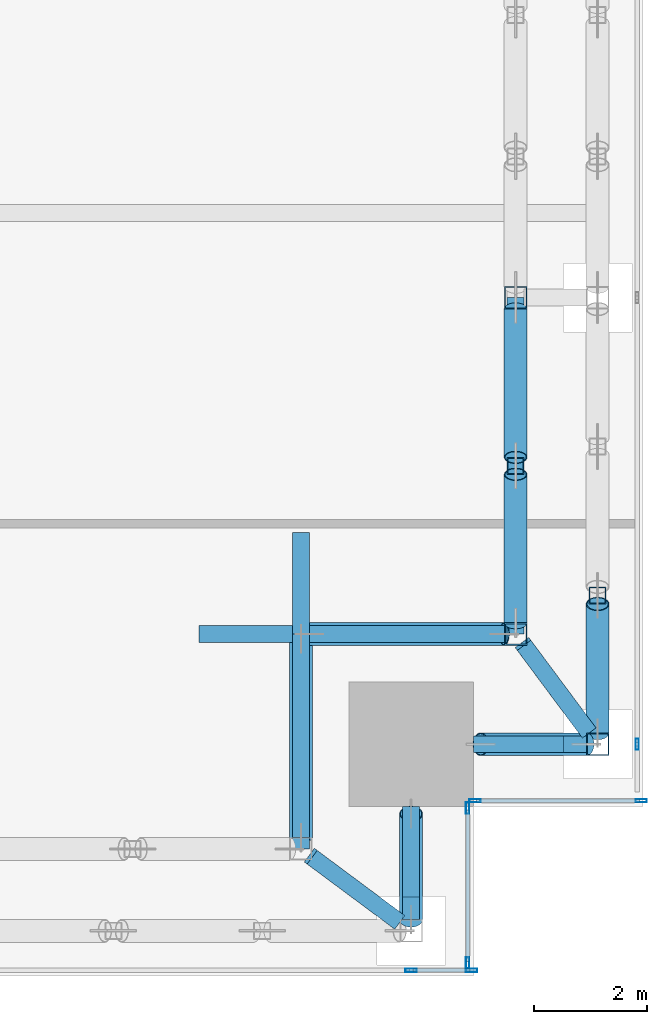
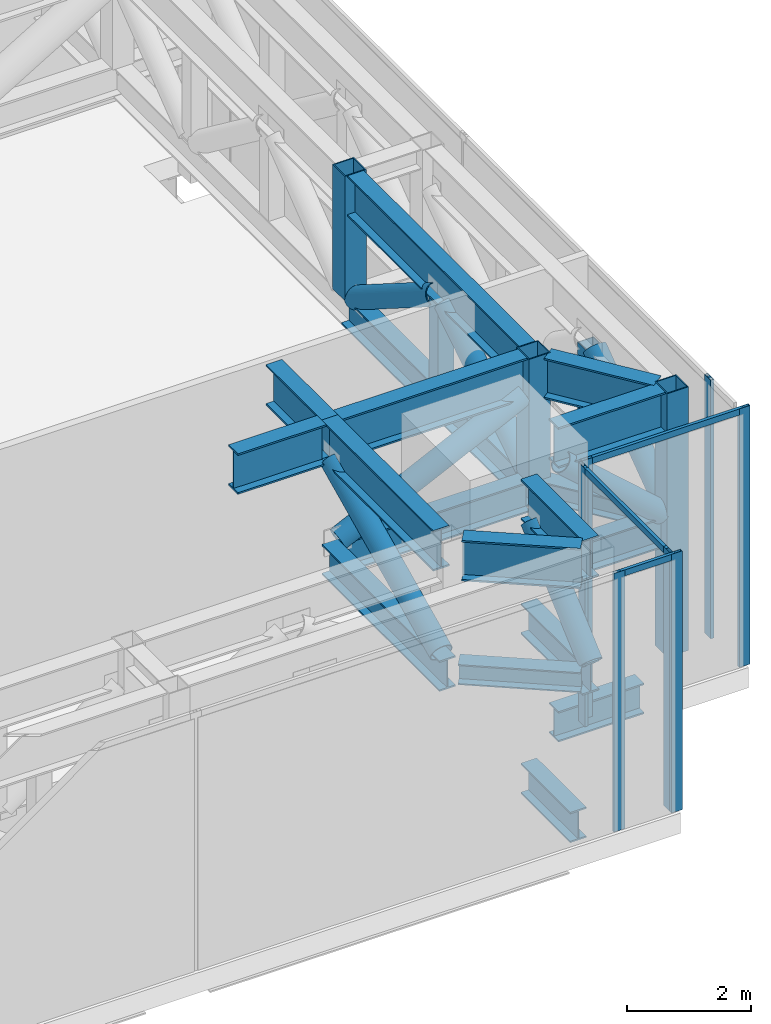
# One storey, part 10 of 39: 34 members, 6 beams, 4 elements without a shape of their own.
"""IFC4 building model written with IfcOpenShell, lengths in metres."""

from ifc_helpers import new_model, si_unit, direction, frame, origin, origin_2d, place, context, subcontext, project, spatial, hollow_rectangle, hollow_circle, i_section, extrude, source, transform, mapped, material, material_profile, profile_set, type_object, element, aggregate, save


model = new_model("IFC4")

# Units and contexts
model_context = context("Model", 3, precision=1e-05, world=origin(), true_north=direction((0.0, 1.0)))
body_context = subcontext(model_context, "Body", "Model", "MODEL_VIEW")
ifc_project = project(units=[si_unit("LENGTHUNIT", "METRE"), si_unit("AREAUNIT", "SQUARE_METRE"), si_unit("VOLUMEUNIT", "CUBIC_METRE"), si_unit("PLANEANGLEUNIT", "RADIAN"), si_unit("MASSUNIT", "GRAM", prefix="KILO")], contexts=[model_context])

# Site, building, storey
site_placement = place(None, origin())
site = spatial("IfcSite", under=ifc_project, at=site_placement, CompositionType="ELEMENT")
building_placement = place(site_placement, origin())
building = spatial("IfcBuilding", under=site, at=building_placement, Name="Khomas Fold Tower", CompositionType="ELEMENT")
storey_placement = place(building_placement, frame((0.0, 0.0, 96.0)))
storey = spatial("IfcBuildingStorey", under=building, at=storey_placement, Name="L20", CompositionType="ELEMENT", Elevation=96.0)

# Beams
ifc_material_1 = material(Name="Steel S355", Category="steel")
ifc_material_profile_1 = material_profile(ifc_material_1, i_section(OverallWidth=0.300048828125, OverallDepth=0.60009765625, WebThickness=0.015380859375, FlangeThickness=0.030029296875, at=origin_2d()), Name="HE 600 B")
ifc_profile_set_1 = profile_set([ifc_material_profile_1], Name="Steel S355")
beam_type_1 = type_object("IfcBeamType", Name="HE 600 B spandrel SB1", PredefinedType="SPANDREL", material=ifc_profile_set_1)
shared_shape_1 = source(origin(), body_context, "Body", "SweptSolid", [
    extrude(i_section(OverallWidth=0.300048828125, OverallDepth=0.60009765625, WebThickness=0.015380859375, FlangeThickness=0.030029296875, at=origin_2d()), origin(), (0.0, 0.0, 1.0), 1.60009765625),
])
for number, where, z_axis, x_axis, name in (
    (1, (49.89990234375, 1.39990234375, -0.699951171875), (0.0, 1.0, 0.0), (-1.0, 0.0, 0.0), "SB1"),
    (2, (51.0, 4.10009765625, -0.699951171875), (1.0, 0.0, 0.0), (0.0, 1.0, 0.0), "SB1"),
):
    element("IfcBeam", number, at=place(storey_placement, frame(where, z_axis=z_axis, x_axis=x_axis)), inside=storey, type_object=beam_type_1, Name=name, PredefinedType="SPANDREL", context=body_context, shape_type="MappedRepresentation", body=[
        mapped(shared_shape_1, transform((0.0, 0.0, 0.0))),
    ])

# Members
ifc_material_2 = material(Name="Steel S355", Category="steel")
ifc_material_profile_2 = material_profile(ifc_material_2, hollow_circle(Radius=0.203125, WallThickness=0.01611328125, at=origin_2d()), Name="CHS 406.4x16")
ifc_profile_set_2 = profile_set([ifc_material_profile_2], Name="Steel S355")
member_type_1 = type_object("IfcMemberType", Name="BELT TRUSS 1 DIAGONAL CHS 406.4x16", PredefinedType="BRACE", material=ifc_profile_set_2)
shared_shape_2 = source(origin(), body_context, "Body", "SweptSolid", [
    extrude(hollow_circle(Radius=0.203125, WallThickness=0.01611328125, at=origin_2d()), origin(), (0.0, 0.0, 1.0), 2.82275390625),
])
member_1_placement = place(storey_placement, frame((53.199951171875, 4.300048828125, 2.7451171875), z_axis=(0.0, 0.808837053127, 0.588032840485), x_axis=(-1.0, 0.0, 0.0)))
element("IfcMember", 3, at=member_1_placement, inside=storey, type_object=member_type_1, Name="BT1-D", PredefinedType="BRACE", context=body_context, shape_type="MappedRepresentation", body=[
    mapped(shared_shape_2, transform((0.0, 0.0, 0.0))),
])
ifc_material_3 = material(Name="Steel S355", Category="steel")
ifc_material_profile_3 = material_profile(ifc_material_3, hollow_rectangle(XDim=0.300048828125, YDim=0.300048828125, WallThickness=0.01611328125, at=origin_2d()), Name="SHS 300x300x16")
ifc_profile_set_3 = profile_set([ifc_material_profile_3], Name="Steel S355")
member_type_2 = type_object("IfcMemberType", Name="BELT TRUSS 1 MID POST SHS 300x300x16", PredefinedType="POST", material=ifc_profile_set_3)
shared_shape_3 = source(origin(), body_context, "Body", "SweptSolid", [
    extrude(hollow_rectangle(XDim=0.300048828125, YDim=0.300048828125, WallThickness=0.01611328125, at=origin_2d()), origin(), (0.0, 0.0, 1.0), 1.64990234375),
])
for number, where, z_axis, x_axis, name in (
    (4, (53.199951171875, 6.7333984375, 2.75), (0.0, 0.0, 1.0), (1.0, 0.0, 0.0), "BT1-M"),
    (5, (51.75, 9.02490234375, 2.75), (0.0, 0.0, 1.0), (1.0, 0.0, 0.0), "BT1-M"),
):
    element("IfcMember", number, at=place(storey_placement, frame(where, z_axis=z_axis, x_axis=x_axis)), inside=storey, type_object=member_type_2, Name=name, PredefinedType="POST", context=body_context, shape_type="MappedRepresentation", body=[
        mapped(shared_shape_3, transform((0.0, 0.0, 0.0))),
    ])
ifc_material_4 = material(Name="Steel S460M", Category="steel")
ifc_material_profile_4 = material_profile(ifc_material_4, i_section(OverallWidth=0.300048828125, OverallDepth=0.800048828125, WebThickness=0.017578125, FlangeThickness=0.032958984375, at=origin_2d()), Name="HE 800 B")
ifc_profile_set_4 = profile_set([ifc_material_profile_4], Name="Steel S460M")
member_type_3 = type_object("IfcMemberType", Name="BELT TRUSS 1 TOP CHORD SHORTER HE 800 B", PredefinedType="CHORD", material=ifc_profile_set_4)
shared_shape_4 = source(origin(), body_context, "Body", "SweptSolid", [
    extrude(i_section(OverallWidth=0.300048828125, OverallDepth=0.800048828125, WebThickness=0.017578125, FlangeThickness=0.032958984375, at=origin_2d()), origin(), (0.0, 0.0, 1.0), 2.0),
])
for number, where, z_axis, x_axis, name in (
    (6, (49.89990234375, 1.0, 4.800048828125), (0.0, 1.0, 0.0), (-1.0, 0.0, 0.0), "BT1-CTSS"),
    (7, (53.0, 4.10009765625, 4.800048828125), (-1.0, 0.0, 0.0), (0.0, -1.0, 0.0), "BT1-CTSS"),
):
    element("IfcMember", number, at=place(storey_placement, frame(where, z_axis=z_axis, x_axis=x_axis)), inside=storey, type_object=member_type_3, Name=name, PredefinedType="CHORD", context=body_context, shape_type="MappedRepresentation", body=[
        mapped(shared_shape_4, transform((0.0, 0.0, 0.0))),
    ])
ifc_material_5 = material(Name="Steel S355", Category="steel")
ifc_material_profile_5 = material_profile(ifc_material_5, i_section(OverallWidth=0.300048828125, OverallDepth=0.60009765625, WebThickness=0.015380859375, FlangeThickness=0.030029296875, at=origin_2d()), Name="HE 600 B")
ifc_profile_set_5 = profile_set([ifc_material_profile_5], Name="Steel S355")
member_type_4 = type_object("IfcMemberType", Name="BELT TRUSS 1 BOTTOM CHORD SHORTER HE 600 B", PredefinedType="CHORD", material=ifc_profile_set_5)
shared_shape_5 = source(origin(), body_context, "Body", "SweptSolid", [
    extrude(i_section(OverallWidth=0.300048828125, OverallDepth=0.60009765625, WebThickness=0.015380859375, FlangeThickness=0.030029296875, at=origin_2d()), origin(), (0.0, 0.0, 1.0), 2.0),
])
for number, where, z_axis, x_axis, name in (
    (8, (49.89990234375, 1.0, 2.449951171875), (0.0, 1.0, 0.0), (-1.0, 0.0, 0.0), "BT1-CBSS"),
    (9, (53.0, 4.10009765625, 2.449951171875), (-1.0, 0.0, 0.0), (0.0, -1.0, 0.0), "BT1-CBSS"),
):
    element("IfcMember", number, at=place(storey_placement, frame(where, z_axis=z_axis, x_axis=x_axis)), inside=storey, type_object=member_type_4, Name=name, PredefinedType="CHORD", context=body_context, shape_type="MappedRepresentation", body=[
        mapped(shared_shape_5, transform((0.0, 0.0, 0.0))),
    ])
shared_shape_6 = source(origin(), body_context, "Body", "SweptSolid", [
    extrude(hollow_circle(Radius=0.203125, WallThickness=0.01611328125, at=origin_2d()), origin(), (0.0, 0.0, 1.0), 2.5009765625),
])
for number, where, z_axis, x_axis, name in (
    (10, (49.89990234375, 1.0, 2.7451171875), (0.0, 0.74797457832, 0.663727376403), (-1.0, 0.0, 0.0), "BT1-D"),
    (11, (53.0, 4.10009765625, 2.7451171875), (-0.74797457832, 0.0, 0.663727376403), (0.0, -1.0, 0.0), "BT1-D"),
):
    element("IfcMember", number, at=place(storey_placement, frame(where, z_axis=z_axis, x_axis=x_axis)), inside=storey, type_object=member_type_1, Name=name, PredefinedType="BRACE", context=body_context, shape_type="MappedRepresentation", body=[
        mapped(shared_shape_6, transform((0.0, 0.0, 0.0))),
    ])
ifc_material_6 = material(Name="Steel S460M", Category="steel")
ifc_material_profile_6 = material_profile(ifc_material_6, i_section(OverallWidth=0.300048828125, OverallDepth=0.800048828125, WebThickness=0.017578125, FlangeThickness=0.032958984375, at=origin_2d()), Name="HE 800 B")
ifc_profile_set_6 = profile_set([ifc_material_profile_6], Name="Steel S460M")
member_type_5 = type_object("IfcMemberType", Name="BELT TRUSS 1 TOP CHORD HE 800 B", PredefinedType="CHORD", material=ifc_profile_set_6)
shared_shape_7 = source(origin(), body_context, "Body", "SweptSolid", [
    extrude(i_section(OverallWidth=0.300048828125, OverallDepth=0.800048828125, WebThickness=0.017578125, FlangeThickness=0.032958984375, at=origin_2d()), origin(), (0.0, 0.0, 1.0), 5.550048828125),
])
member_2_placement = place(storey_placement, frame((51.75, 6.25, 4.800048828125), z_axis=(0.0, 1.0, 0.0), x_axis=(-1.0, 0.0, 0.0)))
element("IfcMember", 12, at=member_2_placement, inside=storey, type_object=member_type_5, Name="BT1-CT", PredefinedType="CHORD", context=body_context, shape_type="MappedRepresentation", body=[
    mapped(shared_shape_7, transform((0.0, 0.0, 0.0))),
])
shared_shape_8 = source(origin(), body_context, "Body", "SweptSolid", [
    extrude(hollow_circle(Radius=0.203125, WallThickness=0.01611328125, at=origin_2d()), origin(), (0.0, 0.0, 1.0), 3.105712890625),
])
for number, where, z_axis, x_axis, name in (
    (13, (51.75, 6.25, 2.7451171875), (0.0, 0.84519551241, 0.534457244129), (-1.0, 0.0, 0.0), "BT1-D"),
    (14, (51.75, 9.175048828125, 4.405029296875), (0.0, 0.84519551241, -0.534457244129), (-1.0, 0.0, 0.0), "BT1-D"),
):
    element("IfcMember", number, at=place(storey_placement, frame(where, z_axis=z_axis, x_axis=x_axis)), inside=storey, type_object=member_type_1, Name=name, PredefinedType="BRACE", context=body_context, shape_type="MappedRepresentation", body=[
        mapped(shared_shape_8, transform((0.0, 0.0, 0.0))),
    ])
ifc_material_7 = material(Name="Steel S355", Category="steel")
ifc_material_profile_7 = material_profile(ifc_material_7, i_section(OverallWidth=0.300048828125, OverallDepth=0.60009765625, WebThickness=0.015380859375, FlangeThickness=0.030029296875, at=origin_2d()), Name="HE 600 B")
ifc_profile_set_7 = profile_set([ifc_material_profile_7], Name="Steel S355")
member_type_6 = type_object("IfcMemberType", Name="BELT TRUSS 1 BOTTOM CHORD HE 600 B", PredefinedType="CHORD", material=ifc_profile_set_7)
shared_shape_9 = source(origin(), body_context, "Body", "SweptSolid", [
    extrude(i_section(OverallWidth=0.300048828125, OverallDepth=0.60009765625, WebThickness=0.015380859375, FlangeThickness=0.030029296875, at=origin_2d()), origin(), (0.0, 0.0, 1.0), 5.949951171875),
])
member_3_placement = place(storey_placement, frame((51.75, 6.050048828125, 2.449951171875), z_axis=(0.0, 1.0, 0.0), x_axis=(-1.0, 0.0, 0.0)))
element("IfcMember", 15, at=member_3_placement, inside=storey, type_object=member_type_6, Name="BT1-CB", PredefinedType="CHORD", context=body_context, shape_type="MappedRepresentation", body=[
    mapped(shared_shape_9, transform((0.0, 0.0, 0.0))),
])
ifc_material_8 = material(Name="Steel S460M", Category="steel")
ifc_material_profile_8 = material_profile(ifc_material_8, i_section(OverallWidth=0.300048828125, OverallDepth=0.800048828125, WebThickness=0.017578125, FlangeThickness=0.032958984375, at=origin_2d()), Name="HE 800 B")
ifc_profile_set_8 = profile_set([ifc_material_profile_8], Name="Steel S460M")
member_type_7 = type_object("IfcMemberType", Name="BELT TRUSS 1 TOP CHORD SHORT HE 800 B", PredefinedType="CHORD", material=ifc_profile_set_8)
shared_shape_10 = source(origin(), body_context, "Body", "SweptSolid", [
    extrude(i_section(OverallWidth=0.300048828125, OverallDepth=0.800048828125, WebThickness=0.017578125, FlangeThickness=0.032958984375, at=origin_2d()), origin(), (0.0, 0.0, 1.0), 3.60009765625),
])
member_4_placement = place(storey_placement, frame((47.949951171875, 2.449951171875, 4.800048828125), z_axis=(0.0, 1.0, 0.0), x_axis=(-1.0, 0.0, 0.0)))
element("IfcMember", 16, at=member_4_placement, inside=storey, type_object=member_type_7, Name="BT1-CTS", PredefinedType="CHORD", context=body_context, shape_type="MappedRepresentation", body=[
    mapped(shared_shape_10, transform((0.0, 0.0, 0.0))),
])
ifc_material_9 = material(Name="Steel S355", Category="steel")
ifc_material_profile_9 = material_profile(ifc_material_9, i_section(OverallWidth=0.300048828125, OverallDepth=0.60009765625, WebThickness=0.015380859375, FlangeThickness=0.030029296875, at=origin_2d()), Name="HE 600 B")
ifc_profile_set_9 = profile_set([ifc_material_profile_9], Name="Steel S355")
member_type_8 = type_object("IfcMemberType", Name="BELT TRUSS 1 BOTTOM CHORD SHORT HE 600 B", PredefinedType="CHORD", material=ifc_profile_set_9)
shared_shape_11 = source(origin(), body_context, "Body", "SweptSolid", [
    extrude(i_section(OverallWidth=0.300048828125, OverallDepth=0.60009765625, WebThickness=0.015380859375, FlangeThickness=0.030029296875, at=origin_2d()), origin(), (0.0, 0.0, 1.0), 3.800048828125),
])
member_5_placement = place(storey_placement, frame((47.949951171875, 2.25, 2.449951171875), z_axis=(0.0, 1.0, 0.0), x_axis=(-1.0, 0.0, 0.0)))
element("IfcMember", 17, at=member_5_placement, inside=storey, type_object=member_type_8, Name="BT1-CBS", PredefinedType="CHORD", context=body_context, shape_type="MappedRepresentation", body=[
    mapped(shared_shape_11, transform((0.0, 0.0, 0.0))),
])
ifc_material_10 = material(Name="Steel S355", Category="steel")
ifc_material_profile_10 = material_profile(ifc_material_10, hollow_circle(Radius=0.203125, WallThickness=0.01611328125, at=origin_2d()), Name="CHS 406.4x16")
ifc_profile_set_10 = profile_set([ifc_material_profile_10], Name="Steel S355")
member_type_9 = type_object("IfcMemberType", Name="BELT TRUSS 1 DIAGONAL LONG CHS 406.4x16", PredefinedType="BRACE", material=ifc_profile_set_10)
shared_shape_12 = source(origin(), body_context, "Body", "SweptSolid", [
    extrude(hollow_circle(Radius=0.203125, WallThickness=0.01611328125, at=origin_2d()), origin(), (0.0, 0.0, 1.0), 3.887451171875),
])
member_6_placement = place(storey_placement, frame((47.949951171875, 2.449951171875, 2.7451171875), z_axis=(0.0, 0.904261444129, 0.426979204016), x_axis=(-1.0, 0.0, 0.0)))
element("IfcMember", 18, at=member_6_placement, inside=storey, type_object=member_type_9, Name="BT1-DL", PredefinedType="BRACE", context=body_context, shape_type="MappedRepresentation", body=[
    mapped(shared_shape_12, transform((0.0, 0.0, 0.0))),
])
shared_shape_13 = source(origin(), body_context, "Body", "SweptSolid", [
    extrude(i_section(OverallWidth=0.300048828125, OverallDepth=0.800048828125, WebThickness=0.017578125, FlangeThickness=0.032958984375, at=origin_2d()), origin(), (0.0, 0.0, 1.0), 3.449951171875),
])
member_7_placement = place(storey_placement, frame((51.550048828125, 6.050048828125, 4.800048828125), z_axis=(-1.0, 0.0, 0.0), x_axis=(0.0, -1.0, 0.0)))
element("IfcMember", 19, at=member_7_placement, inside=storey, type_object=member_type_7, Name="BT1-CTS", PredefinedType="CHORD", context=body_context, shape_type="MappedRepresentation", body=[
    mapped(shared_shape_13, transform((0.0, 0.0, 0.0))),
])
shared_shape_14 = source(origin(), body_context, "Body", "SweptSolid", [
    extrude(i_section(OverallWidth=0.300048828125, OverallDepth=0.60009765625, WebThickness=0.015380859375, FlangeThickness=0.030029296875, at=origin_2d()), origin(), (0.0, 0.0, 1.0), 3.5),
])
member_8_placement = place(storey_placement, frame((51.60009765625, 6.050048828125, 2.449951171875), z_axis=(-1.0, 0.0, 0.0), x_axis=(0.0, -1.0, 0.0)))
element("IfcMember", 20, at=member_8_placement, inside=storey, type_object=member_type_8, Name="BT1-CBS", PredefinedType="CHORD", context=body_context, shape_type="MappedRepresentation", body=[
    mapped(shared_shape_14, transform((0.0, 0.0, 0.0))),
])
shared_shape_15 = source(origin(), body_context, "Body", "SweptSolid", [
    extrude(hollow_circle(Radius=0.203125, WallThickness=0.01611328125, at=origin_2d()), origin(), (0.0, 0.0, 1.0), 3.82861328125),
])
member_9_placement = place(storey_placement, frame((51.550048828125, 6.050048828125, 4.405029296875), z_axis=(-0.901121646238, 0.0, -0.43356634865), x_axis=(0.0, -1.0, 0.0)))
element("IfcMember", 21, at=member_9_placement, inside=storey, type_object=member_type_9, Name="BT1-DL", PredefinedType="BRACE", context=body_context, shape_type="MappedRepresentation", body=[
    mapped(shared_shape_15, transform((0.0, 0.0, 0.0))),
])
shared_shape_16 = source(origin(), body_context, "Body", "SweptSolid", [
    extrude(i_section(OverallWidth=0.300048828125, OverallDepth=0.800048828125, WebThickness=0.017578125, FlangeThickness=0.032958984375, at=origin_2d()), origin(), (0.0, 0.0, 1.0), 1.800048828125),
])
member_10_placement = place(storey_placement, frame((47.949951171875, 6.050048828125, 4.800048828125), z_axis=(0.0, 1.0, 0.0), x_axis=(-1.0, 0.0, 0.0)))
element("IfcMember", 22, at=member_10_placement, inside=storey, type_object=member_type_3, Name="BT1-CTSS", PredefinedType="CHORD", context=body_context, shape_type="MappedRepresentation", body=[
    mapped(shared_shape_16, transform((0.0, 0.0, 0.0))),
])
shared_shape_17 = source(origin(), body_context, "Body", "SweptSolid", [
    extrude(i_section(OverallWidth=0.300048828125, OverallDepth=0.800048828125, WebThickness=0.017578125, FlangeThickness=0.032958984375, at=origin_2d()), origin(), (0.0, 0.0, 1.0), 1.650146484375),
])
member_11_placement = place(storey_placement, frame((47.800048828125, 6.050048828125, 4.800048828125), z_axis=(-1.0, 0.0, 0.0), x_axis=(0.0, -1.0, 0.0)))
element("IfcMember", 23, at=member_11_placement, inside=storey, type_object=member_type_3, Name="BT1-CTSS", PredefinedType="CHORD", context=body_context, shape_type="MappedRepresentation", body=[
    mapped(shared_shape_17, transform((0.0, 0.0, 0.0))),
])
ifc_material_11 = material(Name="Steel S460M", Category="steel")
ifc_material_profile_11 = material_profile(ifc_material_11, hollow_rectangle(XDim=0.39990234375, YDim=0.39990234375, WallThickness=0.02001953125, at=origin_2d()), Name="SHS 400x400x20")
ifc_profile_set_11 = profile_set([ifc_material_profile_11], Name="Steel S460M")
member_type_10 = type_object("IfcMemberType", Name="BELT TRUSS 1 COLUMN POST LONG SHS 400x400x20", PredefinedType="POST", material=ifc_profile_set_11)
shared_shape_18 = source(origin(), body_context, "Body", "SweptSolid", [
    extrude(hollow_rectangle(XDim=0.39990234375, YDim=0.39990234375, WallThickness=0.02001953125, at=origin_2d()), origin(), (0.0, 0.0, 1.0), 5.199951171875),
])
member_12_placement = place(storey_placement, frame((53.199951171875, 4.10009765625, 0.0), z_axis=(0.0, 0.0, 1.0), x_axis=(1.0, 0.0, 0.0)))
element("IfcMember", 24, at=member_12_placement, inside=storey, type_object=member_type_10, Name="BT1-PL", PredefinedType="POST", context=body_context, shape_type="MappedRepresentation", body=[
    mapped(shared_shape_18, transform((0.0, 0.0, 0.0))),
])
ifc_material_12 = material(Name="Steel S460M", Category="steel")
ifc_material_profile_12 = material_profile(ifc_material_12, hollow_rectangle(XDim=0.39990234375, YDim=0.39990234375, WallThickness=0.02001953125, at=origin_2d()), Name="SHS 400x400x20")
ifc_profile_set_12 = profile_set([ifc_material_profile_12], Name="Steel S460M")
member_type_11 = type_object("IfcMemberType", Name="BELT TRUSS 1 COLUMN POST SHS 400x400x20", PredefinedType="POST", material=ifc_profile_set_12)
shared_shape_19 = source(origin(), body_context, "Body", "SweptSolid", [
    extrude(hollow_rectangle(XDim=0.39990234375, YDim=0.39990234375, WallThickness=0.02001953125, at=origin_2d()), origin(), (0.0, 0.0, 1.0), 2.449951171875),
])
for number, where, z_axis, x_axis, name in (
    (25, (51.75, 6.050048828125, 2.75), (0.0, 0.0, 1.0), (1.0, 0.0, 0.0), "BT1-P"),
    (26, (51.75, 12.0, 2.75), (0.0, 0.0, 1.0), (1.0, 0.0, 0.0), "BT1-P"),
):
    element("IfcMember", number, at=place(storey_placement, frame(where, z_axis=z_axis, x_axis=x_axis)), inside=storey, type_object=member_type_11, Name=name, PredefinedType="POST", context=body_context, shape_type="MappedRepresentation", body=[
        mapped(shared_shape_19, transform((0.0, 0.0, 0.0))),
    ])

# Beams
ifc_material_13 = material(Name="Steel S460M", Category="steel")
ifc_material_profile_13 = material_profile(ifc_material_13, i_section(OverallWidth=0.300048828125, OverallDepth=0.800048828125, WebThickness=0.017578125, FlangeThickness=0.032958984375, at=origin_2d()), Name="HE 800 B")
ifc_profile_set_13 = profile_set([ifc_material_profile_13], Name="Steel S460M")
beam_type_2 = type_object("IfcBeamType", Name="BELT TRUSS 1 TOP TRANSFER STRUT HE 800 B", PredefinedType="BEAM", material=ifc_profile_set_13)
shared_shape_20 = source(origin(), body_context, "Body", "SweptSolid", [
    extrude(i_section(OverallWidth=0.300048828125, OverallDepth=0.800048828125, WebThickness=0.017578125, FlangeThickness=0.032958984375, at=origin_2d()), origin(), (0.0, 0.0, 1.0), 1.931640625),
])
for number, where, z_axis, x_axis, name in (
    (27, (51.898681640625, 5.85009765625, 4.800048828125), (0.596698592497, -0.802465444559, 0.0), (0.802465444559, 0.596698592497, 0.0), "BT1-STD"),
    (28, (48.14990234375, 2.101318359375, 4.800048828125), (0.802465444559, -0.596698592497, 0.0), (0.596698592497, 0.802465444559, 0.0), "BT1-STD"),
):
    element("IfcBeam", number, at=place(storey_placement, frame(where, z_axis=z_axis, x_axis=x_axis)), inside=storey, type_object=beam_type_2, Name=name, PredefinedType="BEAM", context=body_context, shape_type="MappedRepresentation", body=[
        mapped(shared_shape_20, transform((0.0, 0.0, 0.0))),
    ])
ifc_material_14 = material(Name="Steel S355", Category="steel")
ifc_material_profile_14 = material_profile(ifc_material_14, i_section(OverallWidth=0.300048828125, OverallDepth=0.39990234375, WebThickness=0.013427734375, FlangeThickness=0.02392578125, at=origin_2d()), Name="HE 400 B")
ifc_profile_set_14 = profile_set([ifc_material_profile_14], Name="Steel S355")
beam_type_3 = type_object("IfcBeamType", Name="BELT TRUSS 1 BOTTOM STRUT LONG HE 400 B", PredefinedType="BEAM", material=ifc_profile_set_14)
shared_shape_21 = source(origin(), body_context, "Body", "SweptSolid", [
    extrude(i_section(OverallWidth=0.300048828125, OverallDepth=0.39990234375, WebThickness=0.013427734375, FlangeThickness=0.02392578125, at=origin_2d()), origin(), (0.0, 0.0, 1.0), 1.99365234375),
])
for number, where, z_axis, x_axis, name in (
    (29, (51.861572265625, 5.89990234375, 2.550048828125), (0.59672298522, -0.802447306002, 0.0), (0.802447306002, 0.59672298522, 0.0), "BT1-SBL"),
    (30, (48.10009765625, 2.138427734375, 2.550048828125), (0.802447306002, -0.59672298522, 0.0), (0.59672298522, 0.802447306002, 0.0), "BT1-SBL"),
):
    element("IfcBeam", number, at=place(storey_placement, frame(where, z_axis=z_axis, x_axis=x_axis)), inside=storey, type_object=beam_type_3, Name=name, PredefinedType="BEAM", context=body_context, shape_type="MappedRepresentation", body=[
        mapped(shared_shape_21, transform((0.0, 0.0, 0.0))),
    ])

# Curtain wall, members
ifc_material_15 = material(Name="Aluminium framed double glazing", Category="aluminium")
curtain_wall_type = type_object("IfcCurtainWallType", Name="SK-Plant louvre wall CW4", PredefinedType="NOTDEFINED", material=ifc_material_15)
curtain_wall_1_placement = place(storey_placement, origin())
curtain_wall_1 = element("IfcCurtainWall", 31, at=curtain_wall_1_placement, inside=storey, type_object=curtain_wall_type, Name="CW4 run L20 00-0", PredefinedType="NOTDEFINED")
ifc_material_16 = material(Name="Aluminium", Category="aluminium")
ifc_material_profile_15 = material_profile(ifc_material_16, hollow_rectangle(XDim=0.06005859375, YDim=0.199951171875, WallThickness=0.00390625, at=origin_2d()), Name="SK-Plant louvre wall mullion CW4-M")
ifc_profile_set_15 = profile_set([ifc_material_profile_15], Name="Aluminium")
member_type_12 = type_object("IfcMemberType", Name="SK-Plant louvre wall mullion CW4-M", PredefinedType="MULLION", material=ifc_profile_set_15)
shared_shape_22 = source(origin(), body_context, "Body", "SweptSolid", [
    extrude(hollow_rectangle(XDim=0.06005859375, YDim=0.199951171875, WallThickness=0.00390625, at=origin_2d()), origin(), (0.0, 0.0, 1.0), 5.10009765625),
])
member_13_placement = place(storey_placement, frame((49.89990234375, 0.10009765625, 0.0), z_axis=(0.0, 0.0, 1.0), x_axis=(0.0, 1.0, 0.0)))
member_13 = element("IfcMember", 32, at=member_13_placement, type_object=member_type_12, Name="CW4 mullion 8", PredefinedType="MULLION", context=body_context, shape_type="MappedRepresentation", body=[
    mapped(shared_shape_22, transform((0.0, 0.0, 0.0))),
])
member_14_placement = place(storey_placement, frame((50.969970703125, 0.10009765625, 0.0), z_axis=(0.0, 0.0, 1.0), x_axis=(0.0, 1.0, 0.0)))
member_14 = element("IfcMember", 33, at=member_14_placement, type_object=member_type_12, Name="CW4 mullion 9", PredefinedType="MULLION", context=body_context, shape_type="MappedRepresentation", body=[
    mapped(shared_shape_22, transform((0.0, 0.0, 0.0))),
])

curtain_wall_2_placement = place(storey_placement, origin())
curtain_wall_2 = element("IfcCurtainWall", 34, at=curtain_wall_2_placement, inside=storey, type_object=curtain_wall_type, Name="CW4 corner return L20 01", PredefinedType="NOTDEFINED")
member_15_placement = place(storey_placement, frame((50.89990234375, 0.22998046875, 0.0), z_axis=(0.0, 0.0, 1.0), x_axis=(-1.0, 0.0, 0.0)))
member_15 = element("IfcMember", 35, at=member_15_placement, type_object=member_type_12, Name="CW4 mullion 1", PredefinedType="MULLION", context=body_context, shape_type="MappedRepresentation", body=[
    mapped(shared_shape_22, transform((0.0, 0.0, 0.0))),
])
member_16_placement = place(storey_placement, frame((50.89990234375, 2.969970703125, 0.0), z_axis=(0.0, 0.0, 1.0), x_axis=(-1.0, 0.0, 0.0)))
member_16 = element("IfcMember", 36, at=member_16_placement, type_object=member_type_12, Name="CW4 mullion 2", PredefinedType="MULLION", context=body_context, shape_type="MappedRepresentation", body=[
    mapped(shared_shape_22, transform((0.0, 0.0, 0.0))),
])

curtain_wall_3_placement = place(storey_placement, origin())
curtain_wall_3 = element("IfcCurtainWall", 37, at=curtain_wall_3_placement, inside=storey, type_object=curtain_wall_type, Name="CW4 corner return L20 02", PredefinedType="NOTDEFINED")
member_17_placement = place(storey_placement, frame((51.030029296875, 3.10009765625, 0.0), z_axis=(0.0, 0.0, 1.0), x_axis=(0.0, 1.0, 0.0)))
member_17 = element("IfcMember", 38, at=member_17_placement, type_object=member_type_12, Name="CW4 mullion 1", PredefinedType="MULLION", context=body_context, shape_type="MappedRepresentation", body=[
    mapped(shared_shape_22, transform((0.0, 0.0, 0.0))),
])
member_18_placement = place(storey_placement, frame((53.969970703125, 3.10009765625, 0.0), z_axis=(0.0, 0.0, 1.0), x_axis=(0.0, 1.0, 0.0)))
member_18 = element("IfcMember", 39, at=member_18_placement, type_object=member_type_12, Name="CW4 mullion 2", PredefinedType="MULLION", context=body_context, shape_type="MappedRepresentation", body=[
    mapped(shared_shape_22, transform((0.0, 0.0, 0.0))),
])

# Curtain wall, member
curtain_wall_4_placement = place(storey_placement, origin())
curtain_wall_4 = element("IfcCurtainWall", 40, at=curtain_wall_4_placement, inside=storey, type_object=curtain_wall_type, Name="CW4 run L20 03-0", PredefinedType="NOTDEFINED")
member_19_placement = place(storey_placement, frame((53.89990234375, 4.10009765625, 0.0), z_axis=(0.0, 0.0, 1.0), x_axis=(-1.0, 0.0, 0.0)))
member_19 = element("IfcMember", 41, at=member_19_placement, type_object=member_type_12, Name="CW4 mullion 2", PredefinedType="MULLION", context=body_context, shape_type="MappedRepresentation", body=[
    mapped(shared_shape_22, transform((0.0, 0.0, 0.0))),
])
aggregate(curtain_wall_4, [member_19])

# Member
ifc_material_17 = material(Name="Aluminium", Category="aluminium")
ifc_material_profile_16 = material_profile(ifc_material_17, hollow_rectangle(XDim=0.06005859375, YDim=0.1201171875, WallThickness=0.00390625, at=origin_2d()), Name="SK-Plant louvre wall transom CW4-T")
ifc_profile_set_16 = profile_set([ifc_material_profile_16], Name="Aluminium")
member_type_13 = type_object("IfcMemberType", Name="SK-Plant louvre wall transom CW4-T", PredefinedType="USERDEFINED", material=ifc_profile_set_16)
shared_shape_23 = source(origin(), body_context, "Body", "SweptSolid", [
    extrude(hollow_rectangle(XDim=0.06005859375, YDim=0.1201171875, WallThickness=0.00390625, at=origin_2d()), origin(), (0.0, 0.0, 1.0), 1.010009765625),
])
member_20_placement = place(storey_placement, frame((49.929931640625, 0.10009765625, 5.0400390625), z_axis=(1.0, 0.0, 0.0), x_axis=(0.0, 1.0, 0.0)))
member_20 = element("IfcMember", 42, at=member_20_placement, type_object=member_type_13, Name="CW4 transom 8", ObjectType="TRANSOM", PredefinedType="USERDEFINED", context=body_context, shape_type="MappedRepresentation", body=[
    mapped(shared_shape_23, transform((0.0, 0.0, 0.0))),
])

aggregate(curtain_wall_1, [member_13, member_14, member_20])

shared_shape_24 = source(origin(), body_context, "Body", "SweptSolid", [
    extrude(hollow_rectangle(XDim=0.06005859375, YDim=0.1201171875, WallThickness=0.00390625, at=origin_2d()), origin(), (0.0, 0.0, 1.0), 2.679931640625),
])
member_21_placement = place(storey_placement, frame((50.89990234375, 0.260009765625, 5.0400390625), z_axis=(0.0, 1.0, 0.0), x_axis=(-1.0, 0.0, 0.0)))
member_21 = element("IfcMember", 43, at=member_21_placement, type_object=member_type_13, Name="CW4 transom 1", ObjectType="TRANSOM", PredefinedType="USERDEFINED", context=body_context, shape_type="MappedRepresentation", body=[
    mapped(shared_shape_24, transform((0.0, 0.0, 0.0))),
])

aggregate(curtain_wall_2, [member_15, member_16, member_21])

shared_shape_25 = source(origin(), body_context, "Body", "SweptSolid", [
    extrude(hollow_rectangle(XDim=0.06005859375, YDim=0.1201171875, WallThickness=0.00390625, at=origin_2d()), origin(), (0.0, 0.0, 1.0), 2.8798828125),
])
member_22_placement = place(storey_placement, frame((51.06005859375, 3.10009765625, 5.0400390625), z_axis=(1.0, 0.0, 0.0), x_axis=(0.0, 1.0, 0.0)))
member_22 = element("IfcMember", 44, at=member_22_placement, type_object=member_type_13, Name="CW4 transom 1", ObjectType="TRANSOM", PredefinedType="USERDEFINED", context=body_context, shape_type="MappedRepresentation", body=[
    mapped(shared_shape_25, transform((0.0, 0.0, 0.0))),
])

aggregate(curtain_wall_3, [member_17, member_18, member_22])

save(model, "model.ifc")
